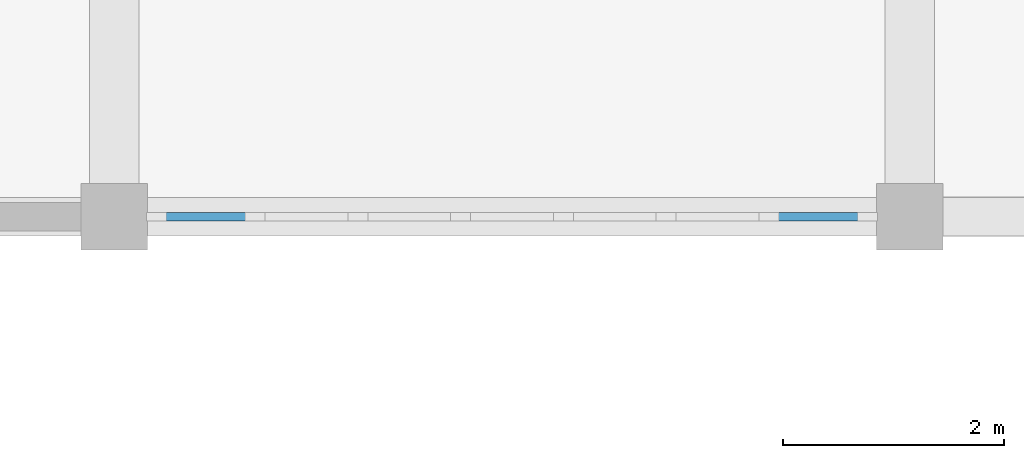
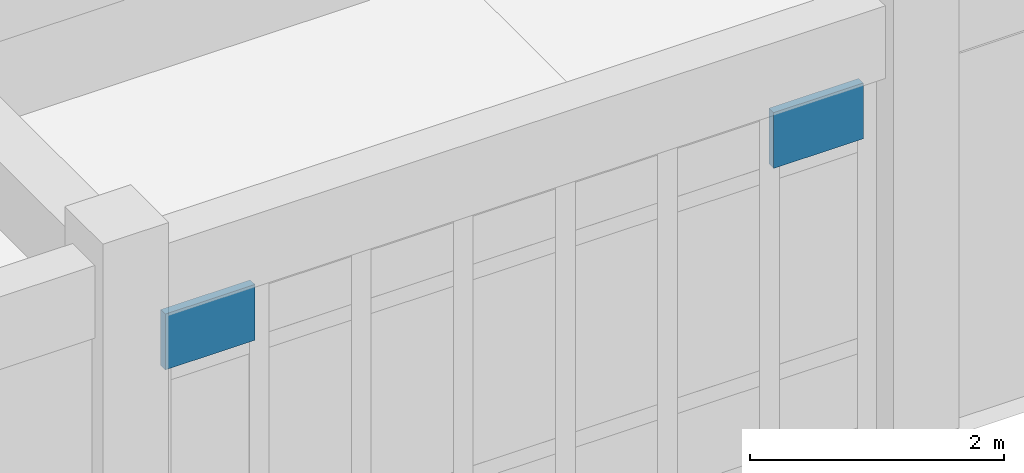
# One storey, part 56 of 81: 2 plates, 1 element without a shape of its own.
"""IFC4 building model written with IfcOpenShell, lengths in metres."""

from ifc_helpers import new_model, si_unit, direction, frame, origin, origin_2d, place, context, subcontext, project, spatial, rectangle, extrude, material, layer, layer_set, type_object, element, aggregate, save


model = new_model("IFC4")

# Units and contexts
model_context = context("Model", 3, precision=1e-05, world=origin(), true_north=direction((0.0, 1.0)))
body_context = subcontext(model_context, "Body", "Model", "MODEL_VIEW")
ifc_project = project(units=[si_unit("LENGTHUNIT", "METRE"), si_unit("AREAUNIT", "SQUARE_METRE"), si_unit("VOLUMEUNIT", "CUBIC_METRE"), si_unit("PLANEANGLEUNIT", "RADIAN"), si_unit("MASSUNIT", "GRAM", prefix="KILO")], contexts=[model_context])

# Site, building, storey
site_placement = place(None, origin())
site = spatial("IfcSite", under=ifc_project, at=site_placement, CompositionType="ELEMENT")
building_placement = place(site_placement, origin())
building = spatial("IfcBuilding", under=site, at=building_placement, Name="Kavelor Marine Aquarium", CompositionType="ELEMENT")
storey_placement = place(building_placement, frame((0.0, 0.0, 4.679931640625)))
storey = spatial("IfcBuildingStorey", under=building, at=storey_placement, Name="L01", CompositionType="ELEMENT", Elevation=4.679931640625)

# Curtain wall, plates
ifc_material_1 = material(Name="Thermally Broken Aluminium and Low-E Glass", Category="aluminium")
ifc_layer_1 = layer(ifc_material_1, 0.14794921875)
ifc_layer_set_1 = layer_set([ifc_layer_1], Name="CW-SYS1")
curtain_wall_type = type_object("IfcCurtainWallType", Name="CW-SYS1", PredefinedType="USERDEFINED", material=ifc_layer_set_1)
curtain_wall_placement = place(storey_placement, origin())
curtain_wall = element("IfcCurtainWall", 1, at=curtain_wall_placement, inside=storey, type_object=curtain_wall_type, Name="cw:x:L01:10_12", ObjectType="Curtain Wall", PredefinedType="USERDEFINED")
ifc_material_2 = material(Name="Solar-Control Double Low-E Glazing", Category="glass")
ifc_layer_2 = layer(ifc_material_2, 0.073974609375)
ifc_layer_set_2 = layer_set([ifc_layer_2], Name="CWP-25")
plate_type = type_object("IfcPlateType", Name="CWP-25", PredefinedType="CURTAIN_PANEL", material=ifc_layer_set_2)
plate_1_placement = place(storey_placement, frame((81.5712890625, 89.199951171875, 2.87744140625), z_axis=(0.0, 0.0, 1.0), x_axis=(-1.0, 0.0, 0.0)))
plate_1 = element("IfcPlate", 2, at=plate_1_placement, type_object=plate_type, Name="CW01 panel 1.3", PredefinedType="CURTAIN_PANEL", context=body_context, shape_type="SweptSolid", body=[
    extrude(rectangle(XDim=0.8173828125, YDim=0.073974609375, at=origin_2d()), origin(), (0.0, 0.0, 1.0), 0.53759765625),
])
plate_2_placement = place(storey_placement, frame((76.02880859375, 89.199951171875, 2.87744140625), z_axis=(0.0, 0.0, 1.0), x_axis=(-1.0, 0.0, 0.0)))
plate_2 = element("IfcPlate", 3, at=plate_2_placement, type_object=plate_type, Name="CW01 panel 7.3", PredefinedType="CURTAIN_PANEL", context=body_context, shape_type="SweptSolid", body=[
    extrude(rectangle(XDim=0.8173828125, YDim=0.073974609375, at=origin_2d()), origin(), (0.0, 0.0, 1.0), 0.53759765625),
])
aggregate(curtain_wall, [plate_1, plate_2])

save(model, "model.ifc")
